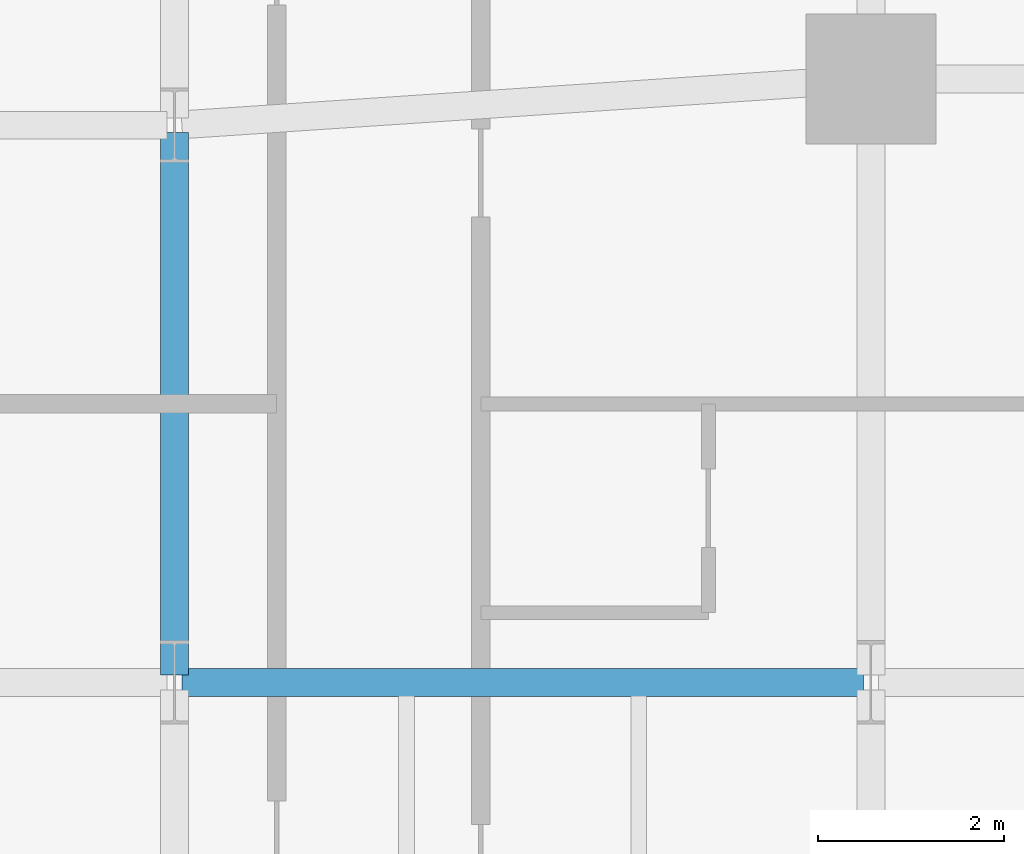
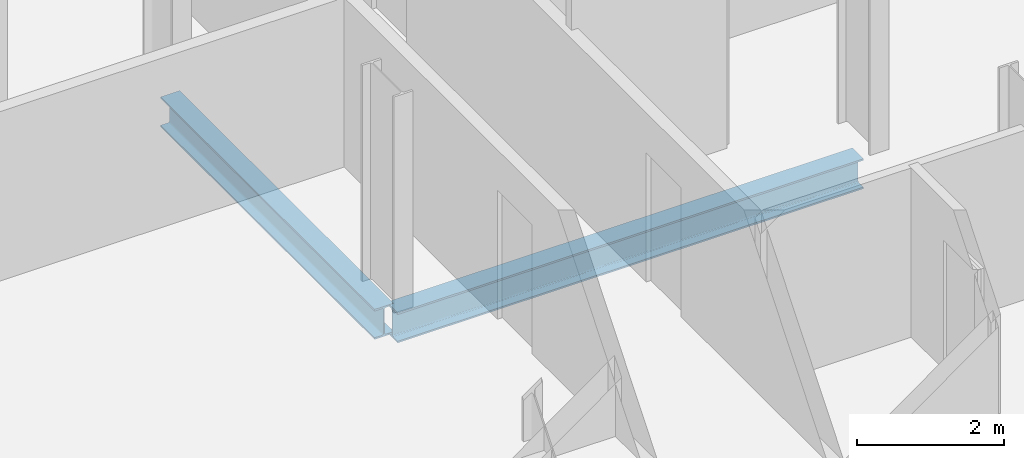
# One storey, part 10 of 32: 2 beams.
"""IFC4 building model written with IfcOpenShell, lengths in metres."""

from ifc_helpers import new_model, si_unit, direction, frame, origin, origin_2d, place, context, subcontext, project, spatial, i_section, extrude, material, material_profile, profile_set, type_object, element, save


model = new_model("IFC4")

# Units and contexts
model_context = context("Model", 3, precision=1e-05, world=origin(), true_north=direction((0.0, 1.0)))
body_context = subcontext(model_context, "Body", "Model", "MODEL_VIEW")
ifc_project = project(units=[si_unit("LENGTHUNIT", "METRE"), si_unit("AREAUNIT", "SQUARE_METRE"), si_unit("VOLUMEUNIT", "CUBIC_METRE"), si_unit("PLANEANGLEUNIT", "RADIAN"), si_unit("MASSUNIT", "GRAM", prefix="KILO")], contexts=[model_context])

# Site, building, storey
site_placement = place(None, origin())
site = spatial("IfcSite", under=ifc_project, at=site_placement, CompositionType="ELEMENT")
building_placement = place(site_placement, origin())
building = spatial("IfcBuilding", under=site, at=building_placement, Name="Catumbela Crestline Tower", CompositionType="ELEMENT")
storey_placement = place(building_placement, frame((0.0, 0.0, 61.8)))
storey = spatial("IfcBuildingStorey", under=building, at=storey_placement, Name="L15", CompositionType="ELEMENT", Elevation=61.8)

# Beams
ifc_material = material(Name="Structural steel S355J2", Category="steel")
ifc_material_profile = material_profile(ifc_material, i_section(OverallWidth=0.3, OverallDepth=0.5, WebThickness=0.0145, FlangeThickness=0.028, FilletRadius=0.027, at=origin_2d()), Name="HEB 500")
ifc_profile_set = profile_set([ifc_material_profile], Name="Structural steel S355J2")
beam_type = type_object("IfcBeamType", Name="BG-HEB500", PredefinedType="BEAM", material=ifc_profile_set)
beam_1_placement = place(storey_placement, frame((8.58, 18.0, -0.51), z_axis=(1.0, 0.0, 0.0), x_axis=(0.0, 1.0, 0.0)))
element("IfcBeam", 1, at=beam_1_placement, inside=storey, type_object=beam_type, Name="L15 Beam BM-L15-WEW55", PredefinedType="BEAM", context=body_context, shape_type="SweptSolid", body=[
    extrude(i_section(OverallWidth=0.3, OverallDepth=0.5, WebThickness=0.0145, FlangeThickness=0.028, FilletRadius=0.027, at=origin_2d()), origin(), (0.0, 0.0, 1.0), 7.34),
])
beam_2_placement = place(storey_placement, frame((8.5, 18.08, -0.51), z_axis=(0.0, 1.0, 0.0), x_axis=(-1.0, 0.0, 0.0)))
element("IfcBeam", 2, at=beam_2_placement, inside=storey, type_object=beam_type, Name="L15 Beam BM-L15-WNS63", PredefinedType="BEAM", context=body_context, shape_type="SweptSolid", body=[
    extrude(i_section(OverallWidth=0.3, OverallDepth=0.5, WebThickness=0.0145, FlangeThickness=0.028, FilletRadius=0.027, at=origin_2d()), origin(), (0.0, 0.0, 1.0), 5.84),
])

save(model, "model.ifc")
